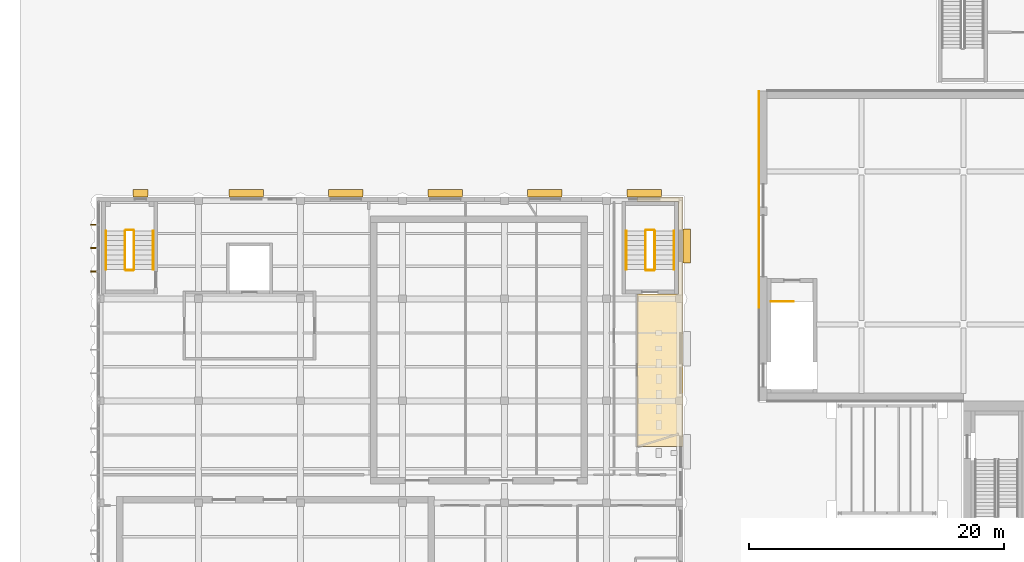
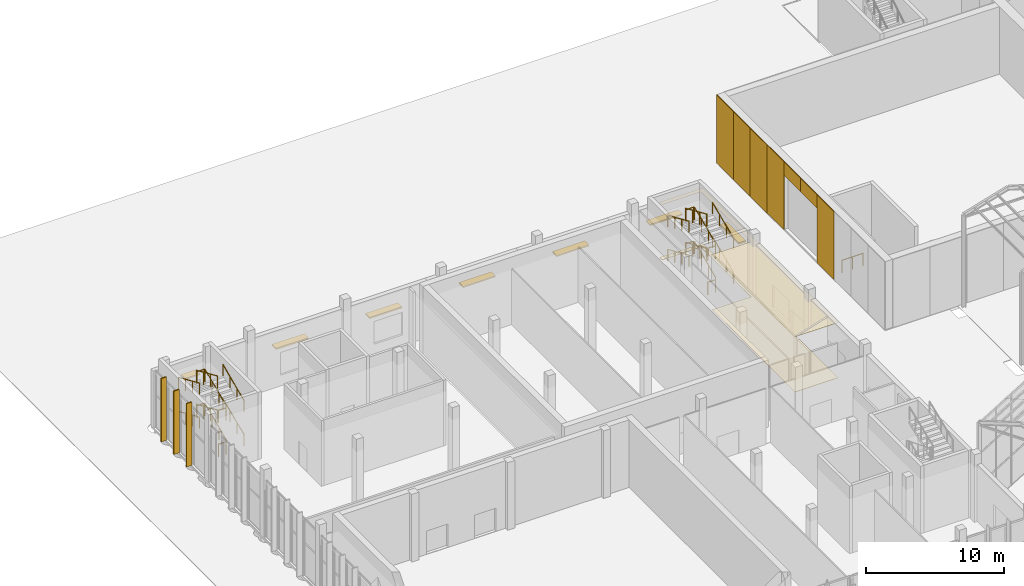
# One storey, part 130 of 155: 25 railings, 10 shading devices, 9 coverings.
"""IFC4 building model written with IfcOpenShell, lengths in metres."""

from ifc_helpers import new_model, si_unit, direction, frame, origin, origin_2d, place, context, subcontext, project, spatial, polyline, rectangle, circle, outline, extrude, material, layer, layer_set, type_object, element, save


model = new_model("IFC4")

# Units and contexts
model_context = context("Model", 3, precision=1e-05, world=origin(), true_north=direction((0.0, 1.0)))
body_context = subcontext(model_context, "Body", "Model", "MODEL_VIEW")
ifc_project = project(units=[si_unit("LENGTHUNIT", "METRE"), si_unit("AREAUNIT", "SQUARE_METRE"), si_unit("VOLUMEUNIT", "CUBIC_METRE"), si_unit("PLANEANGLEUNIT", "RADIAN"), si_unit("MASSUNIT", "GRAM", prefix="KILO")], contexts=[model_context])

# Site, building, storey
site_placement = place(None, origin())
site = spatial("IfcSite", under=ifc_project, at=site_placement, CompositionType="ELEMENT")
building_placement = place(site_placement, origin())
building = spatial("IfcBuilding", under=site, at=building_placement, Name="Lunette Opera House", CompositionType="ELEMENT")
storey_placement = place(building_placement, origin())
storey = spatial("IfcBuildingStorey", under=building, at=storey_placement, Name="L00", CompositionType="ELEMENT", Elevation=0.0)

# Shading devices
ifc_material_1 = material(Name="Powder-coated aluminium", Category="aluminium")
shading_device_type_1 = type_object("IfcShadingDeviceType", Name="SOLAR FIN 100 X 450", PredefinedType="USERDEFINED", material=ifc_material_1)
for number, where, z_axis, x_axis, name in (
    (1, (7.76708984375, 109.80908203125, 0.114501953125), (0.0, 0.0, 1.0), (-1.0, 0.0, 0.0), "Solar fin RW-X2001 1"),
    (2, (7.76708984375, 107.98291015625, 0.114501953125), (0.0, 0.0, 1.0), (-1.0, 0.0, 0.0), "Solar fin RW-X2001 2"),
    (3, (7.76708984375, 106.156005859375, 0.114501953125), (0.0, 0.0, 1.0), (-1.0, 0.0, 0.0), "Solar fin RW-X2001 3"),
):
    element("IfcShadingDevice", number, at=place(storey_placement, frame(where, z_axis=z_axis, x_axis=x_axis)), inside=storey, type_object=shading_device_type_1, Name=name, ObjectType="SOLAR FIN", PredefinedType="USERDEFINED", context=body_context, shape_type="SweptSolid", body=[
        extrude(rectangle(XDim=0.449951171875, YDim=0.10009765625, at=origin_2d()), origin(), (0.0, 0.0, 1.0), 5.5849609375),
    ])

# Railings
ifc_material_2 = material(Name="Steel S355", Category="steel")
railing_type_1 = type_object("IfcRailingType", Name="STAIR GUARD 1100", PredefinedType="GUARDRAIL", material=ifc_material_2)
railing_1_placement = place(storey_placement, frame((60.89990234375, 103.800048828125, 0.0)))
element("IfcRailing", 4, at=railing_1_placement, inside=storey, type_object=railing_type_1, Name="L00 ST13 top well guard 1", PredefinedType="GUARDRAIL", context=body_context, shape_type="SweptSolid", body=[
    extrude(circle(Radius=0.02392578125, at=origin_2d()), frame((0.0, 0.0, 1.076171875), z_axis=(1.0, 0.0, 0.0), x_axis=(0.0, 1.0, 0.0)), (0.0, 0.0, 1.0), 1.75),
    extrude(circle(Radius=0.02099609375, at=origin_2d()), origin(), (0.0, 0.0, 1.0), 1.052001953125),
    extrude(circle(Radius=0.02099609375, at=origin_2d()), frame((0.875, 0.0, 0.0)), (0.0, 0.0, 1.0), 1.052001953125),
    extrude(circle(Radius=0.02099609375, at=origin_2d()), frame((1.75, 0.0, 0.0)), (0.0, 0.0, 1.0), 1.052001953125),
])
railing_2_placement = place(storey_placement, frame((10.949951171875, 106.300048828125, 0.166748046875)))
element("IfcRailing", 5, at=railing_2_placement, inside=storey, type_object=railing_type_1, Name="L00 ST15 stair guard 1", PredefinedType="GUARDRAIL", context=body_context, shape_type="SweptSolid", body=[
    extrude(circle(Radius=0.02392578125, at=origin_2d()), frame((0.0, 0.0, 1.076171875), z_axis=(0.0, 0.915799124602, 0.401636606124), x_axis=(-1.0, 0.0, 0.0)), (0.0, 0.0, 1.0), 3.319580078125),
    extrude(circle(Radius=0.02099609375, at=origin_2d()), origin(), (0.0, 0.0, 1.0), 1.052001953125),
    extrude(circle(Radius=0.02099609375, at=origin_2d()), frame((0.0, 1.013427734375, 0.4443359375)), (0.0, 0.0, 1.0), 1.052001953125),
    extrude(circle(Radius=0.02099609375, at=origin_2d()), frame((0.0, 2.026611328125, 0.888916015625)), (0.0, 0.0, 1.0), 1.052001953125),
    extrude(circle(Radius=0.02099609375, at=origin_2d()), frame((0.0, 3.0400390625, 1.333251953125)), (0.0, 0.0, 1.0), 1.052001953125),
])
railing_3_placement = place(storey_placement, frame((10.89990234375, 109.389892578125, 1.5)))
element("IfcRailing", 6, at=railing_3_placement, inside=storey, type_object=railing_type_1, Name="L00 ST15 stair guard 2", PredefinedType="GUARDRAIL", context=body_context, shape_type="SweptSolid", body=[
    extrude(circle(Radius=0.02392578125, at=origin_2d()), frame((0.0, 0.0, 1.076171875), z_axis=(-1.0, 0.0, 0.0), x_axis=(0.0, -1.0, 0.0)), (0.0, 0.0, 1.0), 0.599853515625),
    extrude(circle(Radius=0.02099609375, at=origin_2d()), origin(), (0.0, 0.0, 1.0), 1.052001953125),
    extrude(circle(Radius=0.02099609375, at=origin_2d()), frame((-0.599853515625, 0.0, 0.0)), (0.0, 0.0, 1.0), 1.052001953125),
])
railing_4_placement = place(storey_placement, frame((10.25, 109.340087890625, 1.666748046875)))
element("IfcRailing", 7, at=railing_4_placement, inside=storey, type_object=railing_type_1, Name="L00 ST15 stair guard 3", PredefinedType="GUARDRAIL", context=body_context, shape_type="SweptSolid", body=[
    extrude(circle(Radius=0.02392578125, at=origin_2d()), frame((0.0, 0.0, 1.076171875), z_axis=(0.0, -0.915799124602, 0.401636606124), x_axis=(1.0, 0.0, 0.0)), (0.0, 0.0, 1.0), 3.319580078125),
    extrude(circle(Radius=0.02099609375, at=origin_2d()), origin(), (0.0, 0.0, 1.0), 1.052001953125),
    extrude(circle(Radius=0.02099609375, at=origin_2d()), frame((0.0, -1.013427734375, 0.4443359375)), (0.0, 0.0, 1.0), 1.052001953125),
    extrude(circle(Radius=0.02099609375, at=origin_2d()), frame((0.0, -2.026611328125, 0.888916015625)), (0.0, 0.0, 1.0), 1.052001953125),
    extrude(circle(Radius=0.02099609375, at=origin_2d()), frame((0.0, -3.0400390625, 1.333251953125)), (0.0, 0.0, 1.0), 1.052001953125),
])
railing_5_placement = place(storey_placement, frame((10.89990234375, 106.25, 3.0)))
element("IfcRailing", 8, at=railing_5_placement, inside=storey, type_object=railing_type_1, Name="L00 ST15 stair guard 4", PredefinedType="GUARDRAIL", context=body_context, shape_type="SweptSolid", body=[
    extrude(circle(Radius=0.02392578125, at=origin_2d()), frame((0.0, 0.0, 1.076171875), z_axis=(-1.0, 0.0, 0.0), x_axis=(0.0, -1.0, 0.0)), (0.0, 0.0, 1.0), 0.599853515625),
    extrude(circle(Radius=0.02099609375, at=origin_2d()), origin(), (0.0, 0.0, 1.0), 1.052001953125),
    extrude(circle(Radius=0.02099609375, at=origin_2d()), frame((-0.599853515625, 0.0, 0.0)), (0.0, 0.0, 1.0), 1.052001953125),
])
railing_6_placement = place(storey_placement, frame((10.949951171875, 106.300048828125, 3.166748046875)))
element("IfcRailing", 9, at=railing_6_placement, inside=storey, type_object=railing_type_1, Name="L00 ST15 stair guard 5", PredefinedType="GUARDRAIL", context=body_context, shape_type="SweptSolid", body=[
    extrude(circle(Radius=0.02392578125, at=origin_2d()), frame((0.0, 0.0, 1.076171875), z_axis=(0.0, 0.915799124602, 0.401636606124), x_axis=(-1.0, 0.0, 0.0)), (0.0, 0.0, 1.0), 3.319580078125),
    extrude(circle(Radius=0.02099609375, at=origin_2d()), origin(), (0.0, 0.0, 1.0), 1.052001953125),
    extrude(circle(Radius=0.02099609375, at=origin_2d()), frame((0.0, 1.013427734375, 0.4443359375)), (0.0, 0.0, 1.0), 1.052001953125),
    extrude(circle(Radius=0.02099609375, at=origin_2d()), frame((0.0, 2.026611328125, 0.888916015625)), (0.0, 0.0, 1.0), 1.052001953125),
    extrude(circle(Radius=0.02099609375, at=origin_2d()), frame((0.0, 3.0400390625, 1.333251953125)), (0.0, 0.0, 1.0), 1.052001953125),
])
railing_7_placement = place(storey_placement, frame((10.89990234375, 109.389892578125, 4.5)))
element("IfcRailing", 10, at=railing_7_placement, inside=storey, type_object=railing_type_1, Name="L00 ST15 stair guard 6", PredefinedType="GUARDRAIL", context=body_context, shape_type="SweptSolid", body=[
    extrude(circle(Radius=0.02392578125, at=origin_2d()), frame((0.0, 0.0, 1.076171875), z_axis=(-1.0, 0.0, 0.0), x_axis=(0.0, -1.0, 0.0)), (0.0, 0.0, 1.0), 0.599853515625),
    extrude(circle(Radius=0.02099609375, at=origin_2d()), origin(), (0.0, 0.0, 1.0), 1.052001953125),
    extrude(circle(Radius=0.02099609375, at=origin_2d()), frame((-0.599853515625, 0.0, 0.0)), (0.0, 0.0, 1.0), 1.052001953125),
])
railing_8_placement = place(storey_placement, frame((10.25, 109.340087890625, 4.666748046875)))
element("IfcRailing", 11, at=railing_8_placement, inside=storey, type_object=railing_type_1, Name="L00 ST15 stair guard 7", PredefinedType="GUARDRAIL", context=body_context, shape_type="SweptSolid", body=[
    extrude(circle(Radius=0.02392578125, at=origin_2d()), frame((0.0, 0.0, 1.076171875), z_axis=(0.0, -0.915799124602, 0.401636606124), x_axis=(1.0, 0.0, 0.0)), (0.0, 0.0, 1.0), 3.319580078125),
    extrude(circle(Radius=0.02099609375, at=origin_2d()), origin(), (0.0, 0.0, 1.0), 1.052001953125),
    extrude(circle(Radius=0.02099609375, at=origin_2d()), frame((0.0, -1.013427734375, 0.4443359375)), (0.0, 0.0, 1.0), 1.052001953125),
    extrude(circle(Radius=0.02099609375, at=origin_2d()), frame((0.0, -2.026611328125, 0.888916015625)), (0.0, 0.0, 1.0), 1.052001953125),
    extrude(circle(Radius=0.02099609375, at=origin_2d()), frame((0.0, -3.0400390625, 1.333251953125)), (0.0, 0.0, 1.0), 1.052001953125),
])
railing_9_placement = place(storey_placement, frame((10.89990234375, 106.25, 0.0)))
element("IfcRailing", 12, at=railing_9_placement, inside=storey, type_object=railing_type_1, Name="L00 ST15 stair guard 8", PredefinedType="GUARDRAIL", context=body_context, shape_type="SweptSolid", body=[
    extrude(circle(Radius=0.02392578125, at=origin_2d()), frame((0.0, 0.0, 1.076171875), z_axis=(-1.0, 0.0, 0.0), x_axis=(0.0, -1.0, 0.0)), (0.0, 0.0, 1.0), 0.599853515625),
    extrude(circle(Radius=0.02099609375, at=origin_2d()), origin(), (0.0, 0.0, 1.0), 1.052001953125),
    extrude(circle(Radius=0.02099609375, at=origin_2d()), frame((-0.599853515625, 0.0, 0.0)), (0.0, 0.0, 1.0), 1.052001953125),
])
railing_10_placement = place(storey_placement, frame((51.784912109375, 106.300048828125, 0.166748046875)))
element("IfcRailing", 13, at=railing_10_placement, inside=storey, type_object=railing_type_1, Name="L00 ST17 stair guard 1", PredefinedType="GUARDRAIL", context=body_context, shape_type="SweptSolid", body=[
    extrude(circle(Radius=0.02392578125, at=origin_2d()), frame((0.0, 0.0, 1.076171875), z_axis=(0.0, 0.915799124602, 0.401636606124), x_axis=(-1.0, 0.0, 0.0)), (0.0, 0.0, 1.0), 3.319580078125),
    extrude(circle(Radius=0.02099609375, at=origin_2d()), origin(), (0.0, 0.0, 1.0), 1.052001953125),
    extrude(circle(Radius=0.02099609375, at=origin_2d()), frame((0.0, 1.013427734375, 0.4443359375)), (0.0, 0.0, 1.0), 1.052001953125),
    extrude(circle(Radius=0.02099609375, at=origin_2d()), frame((0.0, 2.026611328125, 0.888916015625)), (0.0, 0.0, 1.0), 1.052001953125),
    extrude(circle(Radius=0.02099609375, at=origin_2d()), frame((0.0, 3.0400390625, 1.333251953125)), (0.0, 0.0, 1.0), 1.052001953125),
])
railing_11_placement = place(storey_placement, frame((51.735107421875, 109.389892578125, 1.5)))
element("IfcRailing", 14, at=railing_11_placement, inside=storey, type_object=railing_type_1, Name="L00 ST17 stair guard 2", PredefinedType="GUARDRAIL", context=body_context, shape_type="SweptSolid", body=[
    extrude(circle(Radius=0.02392578125, at=origin_2d()), frame((0.0, 0.0, 1.076171875), z_axis=(-1.0, 0.0, 0.0), x_axis=(0.0, -1.0, 0.0)), (0.0, 0.0, 1.0), 0.635009765625),
    extrude(circle(Radius=0.02099609375, at=origin_2d()), origin(), (0.0, 0.0, 1.0), 1.052001953125),
    extrude(circle(Radius=0.02099609375, at=origin_2d()), frame((-0.635009765625, 0.0, 0.0)), (0.0, 0.0, 1.0), 1.052001953125),
])
railing_12_placement = place(storey_placement, frame((51.050048828125, 109.340087890625, 1.666748046875)))
element("IfcRailing", 15, at=railing_12_placement, inside=storey, type_object=railing_type_1, Name="L00 ST17 stair guard 3", PredefinedType="GUARDRAIL", context=body_context, shape_type="SweptSolid", body=[
    extrude(circle(Radius=0.02392578125, at=origin_2d()), frame((0.0, 0.0, 1.076171875), z_axis=(0.0, -0.915799124602, 0.401636606124), x_axis=(1.0, 0.0, 0.0)), (0.0, 0.0, 1.0), 3.319580078125),
    extrude(circle(Radius=0.02099609375, at=origin_2d()), origin(), (0.0, 0.0, 1.0), 1.052001953125),
    extrude(circle(Radius=0.02099609375, at=origin_2d()), frame((0.0, -1.013427734375, 0.4443359375)), (0.0, 0.0, 1.0), 1.052001953125),
    extrude(circle(Radius=0.02099609375, at=origin_2d()), frame((0.0, -2.026611328125, 0.888916015625)), (0.0, 0.0, 1.0), 1.052001953125),
    extrude(circle(Radius=0.02099609375, at=origin_2d()), frame((0.0, -3.0400390625, 1.333251953125)), (0.0, 0.0, 1.0), 1.052001953125),
])
railing_13_placement = place(storey_placement, frame((51.735107421875, 106.25, 3.0)))
element("IfcRailing", 16, at=railing_13_placement, inside=storey, type_object=railing_type_1, Name="L00 ST17 stair guard 4", PredefinedType="GUARDRAIL", context=body_context, shape_type="SweptSolid", body=[
    extrude(circle(Radius=0.02392578125, at=origin_2d()), frame((0.0, 0.0, 1.076171875), z_axis=(-1.0, 0.0, 0.0), x_axis=(0.0, -1.0, 0.0)), (0.0, 0.0, 1.0), 0.635009765625),
    extrude(circle(Radius=0.02099609375, at=origin_2d()), origin(), (0.0, 0.0, 1.0), 1.052001953125),
    extrude(circle(Radius=0.02099609375, at=origin_2d()), frame((-0.635009765625, 0.0, 0.0)), (0.0, 0.0, 1.0), 1.052001953125),
])
railing_14_placement = place(storey_placement, frame((51.784912109375, 106.300048828125, 3.166748046875)))
element("IfcRailing", 17, at=railing_14_placement, inside=storey, type_object=railing_type_1, Name="L00 ST17 stair guard 5", PredefinedType="GUARDRAIL", context=body_context, shape_type="SweptSolid", body=[
    extrude(circle(Radius=0.02392578125, at=origin_2d()), frame((0.0, 0.0, 1.076171875), z_axis=(0.0, 0.915799124602, 0.401636606124), x_axis=(-1.0, 0.0, 0.0)), (0.0, 0.0, 1.0), 3.319580078125),
    extrude(circle(Radius=0.02099609375, at=origin_2d()), origin(), (0.0, 0.0, 1.0), 1.052001953125),
    extrude(circle(Radius=0.02099609375, at=origin_2d()), frame((0.0, 1.013427734375, 0.4443359375)), (0.0, 0.0, 1.0), 1.052001953125),
    extrude(circle(Radius=0.02099609375, at=origin_2d()), frame((0.0, 2.026611328125, 0.888916015625)), (0.0, 0.0, 1.0), 1.052001953125),
    extrude(circle(Radius=0.02099609375, at=origin_2d()), frame((0.0, 3.0400390625, 1.333251953125)), (0.0, 0.0, 1.0), 1.052001953125),
])
railing_15_placement = place(storey_placement, frame((51.735107421875, 109.389892578125, 4.5)))
element("IfcRailing", 18, at=railing_15_placement, inside=storey, type_object=railing_type_1, Name="L00 ST17 stair guard 6", PredefinedType="GUARDRAIL", context=body_context, shape_type="SweptSolid", body=[
    extrude(circle(Radius=0.02392578125, at=origin_2d()), frame((0.0, 0.0, 1.076171875), z_axis=(-1.0, 0.0, 0.0), x_axis=(0.0, -1.0, 0.0)), (0.0, 0.0, 1.0), 0.635009765625),
    extrude(circle(Radius=0.02099609375, at=origin_2d()), origin(), (0.0, 0.0, 1.0), 1.052001953125),
    extrude(circle(Radius=0.02099609375, at=origin_2d()), frame((-0.635009765625, 0.0, 0.0)), (0.0, 0.0, 1.0), 1.052001953125),
])
railing_16_placement = place(storey_placement, frame((51.050048828125, 109.340087890625, 4.666748046875)))
element("IfcRailing", 19, at=railing_16_placement, inside=storey, type_object=railing_type_1, Name="L00 ST17 stair guard 7", PredefinedType="GUARDRAIL", context=body_context, shape_type="SweptSolid", body=[
    extrude(circle(Radius=0.02392578125, at=origin_2d()), frame((0.0, 0.0, 1.076171875), z_axis=(0.0, -0.915799124602, 0.401636606124), x_axis=(1.0, 0.0, 0.0)), (0.0, 0.0, 1.0), 3.319580078125),
    extrude(circle(Radius=0.02099609375, at=origin_2d()), origin(), (0.0, 0.0, 1.0), 1.052001953125),
    extrude(circle(Radius=0.02099609375, at=origin_2d()), frame((0.0, -1.013427734375, 0.4443359375)), (0.0, 0.0, 1.0), 1.052001953125),
    extrude(circle(Radius=0.02099609375, at=origin_2d()), frame((0.0, -2.026611328125, 0.888916015625)), (0.0, 0.0, 1.0), 1.052001953125),
    extrude(circle(Radius=0.02099609375, at=origin_2d()), frame((0.0, -3.0400390625, 1.333251953125)), (0.0, 0.0, 1.0), 1.052001953125),
])
railing_17_placement = place(storey_placement, frame((51.735107421875, 106.25, 0.0)))
element("IfcRailing", 20, at=railing_17_placement, inside=storey, type_object=railing_type_1, Name="L00 ST17 stair guard 8", PredefinedType="GUARDRAIL", context=body_context, shape_type="SweptSolid", body=[
    extrude(circle(Radius=0.02392578125, at=origin_2d()), frame((0.0, 0.0, 1.076171875), z_axis=(-1.0, 0.0, 0.0), x_axis=(0.0, -1.0, 0.0)), (0.0, 0.0, 1.0), 0.635009765625),
    extrude(circle(Radius=0.02099609375, at=origin_2d()), origin(), (0.0, 0.0, 1.0), 1.052001953125),
    extrude(circle(Radius=0.02099609375, at=origin_2d()), frame((-0.635009765625, 0.0, 0.0)), (0.0, 0.0, 1.0), 1.052001953125),
])
ifc_material_3 = material(Name="Steel S355", Category="steel")
railing_type_2 = type_object("IfcRailingType", Name="STAIR HANDRAIL 1000", PredefinedType="HANDRAIL", material=ifc_material_3)
railing_18_placement = place(storey_placement, frame((12.449951171875, 106.300048828125, 0.166748046875)))
element("IfcRailing", 21, at=railing_18_placement, inside=storey, type_object=railing_type_2, Name="L00 ST15 stair handrail 1", PredefinedType="HANDRAIL", context=body_context, shape_type="SweptSolid", body=[
    extrude(circle(Radius=0.02392578125, at=origin_2d()), frame((0.0, 0.0, 0.97607421875), z_axis=(0.0, 0.915799124602, 0.401636606124), x_axis=(-1.0, 0.0, 0.0)), (0.0, 0.0, 1.0), 3.319580078125),
    extrude(circle(Radius=0.02099609375, at=origin_2d()), origin(), (0.0, 0.0, 1.0), 0.951904296875),
    extrude(circle(Radius=0.02099609375, at=origin_2d()), frame((0.0, 1.013427734375, 0.4443359375)), (0.0, 0.0, 1.0), 0.951904296875),
    extrude(circle(Radius=0.02099609375, at=origin_2d()), frame((0.0, 2.026611328125, 0.888916015625)), (0.0, 0.0, 1.0), 0.951904296875),
    extrude(circle(Radius=0.02099609375, at=origin_2d()), frame((0.0, 3.0400390625, 1.333251953125)), (0.0, 0.0, 1.0), 0.951904296875),
])
railing_19_placement = place(storey_placement, frame((8.75, 109.340087890625, 1.666748046875)))
element("IfcRailing", 22, at=railing_19_placement, inside=storey, type_object=railing_type_2, Name="L00 ST15 stair handrail 2", PredefinedType="HANDRAIL", context=body_context, shape_type="SweptSolid", body=[
    extrude(circle(Radius=0.02392578125, at=origin_2d()), frame((0.0, 0.0, 0.97607421875), z_axis=(0.0, -0.915799124602, 0.401636606124), x_axis=(1.0, 0.0, 0.0)), (0.0, 0.0, 1.0), 3.319580078125),
    extrude(circle(Radius=0.02099609375, at=origin_2d()), origin(), (0.0, 0.0, 1.0), 0.951904296875),
    extrude(circle(Radius=0.02099609375, at=origin_2d()), frame((0.0, -1.013427734375, 0.4443359375)), (0.0, 0.0, 1.0), 0.951904296875),
    extrude(circle(Radius=0.02099609375, at=origin_2d()), frame((0.0, -2.026611328125, 0.888916015625)), (0.0, 0.0, 1.0), 0.951904296875),
    extrude(circle(Radius=0.02099609375, at=origin_2d()), frame((0.0, -3.0400390625, 1.333251953125)), (0.0, 0.0, 1.0), 0.951904296875),
])
railing_20_placement = place(storey_placement, frame((12.449951171875, 106.300048828125, 3.166748046875)))
element("IfcRailing", 23, at=railing_20_placement, inside=storey, type_object=railing_type_2, Name="L00 ST15 stair handrail 3", PredefinedType="HANDRAIL", context=body_context, shape_type="SweptSolid", body=[
    extrude(circle(Radius=0.02392578125, at=origin_2d()), frame((0.0, 0.0, 0.97607421875), z_axis=(0.0, 0.915799124602, 0.401636606124), x_axis=(-1.0, 0.0, 0.0)), (0.0, 0.0, 1.0), 3.319580078125),
    extrude(circle(Radius=0.02099609375, at=origin_2d()), origin(), (0.0, 0.0, 1.0), 0.951904296875),
    extrude(circle(Radius=0.02099609375, at=origin_2d()), frame((0.0, 1.013427734375, 0.4443359375)), (0.0, 0.0, 1.0), 0.951904296875),
    extrude(circle(Radius=0.02099609375, at=origin_2d()), frame((0.0, 2.026611328125, 0.888916015625)), (0.0, 0.0, 1.0), 0.951904296875),
    extrude(circle(Radius=0.02099609375, at=origin_2d()), frame((0.0, 3.0400390625, 1.333251953125)), (0.0, 0.0, 1.0), 0.951904296875),
])
railing_21_placement = place(storey_placement, frame((8.75, 109.340087890625, 4.666748046875)))
element("IfcRailing", 24, at=railing_21_placement, inside=storey, type_object=railing_type_2, Name="L00 ST15 stair handrail 4", PredefinedType="HANDRAIL", context=body_context, shape_type="SweptSolid", body=[
    extrude(circle(Radius=0.02392578125, at=origin_2d()), frame((0.0, 0.0, 0.97607421875), z_axis=(0.0, -0.915799124602, 0.401636606124), x_axis=(1.0, 0.0, 0.0)), (0.0, 0.0, 1.0), 3.319580078125),
    extrude(circle(Radius=0.02099609375, at=origin_2d()), origin(), (0.0, 0.0, 1.0), 0.951904296875),
    extrude(circle(Radius=0.02099609375, at=origin_2d()), frame((0.0, -1.013427734375, 0.4443359375)), (0.0, 0.0, 1.0), 0.951904296875),
    extrude(circle(Radius=0.02099609375, at=origin_2d()), frame((0.0, -2.026611328125, 0.888916015625)), (0.0, 0.0, 1.0), 0.951904296875),
    extrude(circle(Radius=0.02099609375, at=origin_2d()), frame((0.0, -3.0400390625, 1.333251953125)), (0.0, 0.0, 1.0), 0.951904296875),
])
railing_22_placement = place(storey_placement, frame((53.284912109375, 106.300048828125, 0.166748046875)))
element("IfcRailing", 25, at=railing_22_placement, inside=storey, type_object=railing_type_2, Name="L00 ST17 stair handrail 1", PredefinedType="HANDRAIL", context=body_context, shape_type="SweptSolid", body=[
    extrude(circle(Radius=0.02392578125, at=origin_2d()), frame((0.0, 0.0, 0.97607421875), z_axis=(0.0, 0.915799124602, 0.401636606124), x_axis=(-1.0, 0.0, 0.0)), (0.0, 0.0, 1.0), 3.319580078125),
    extrude(circle(Radius=0.02099609375, at=origin_2d()), origin(), (0.0, 0.0, 1.0), 0.951904296875),
    extrude(circle(Radius=0.02099609375, at=origin_2d()), frame((0.0, 1.013427734375, 0.4443359375)), (0.0, 0.0, 1.0), 0.951904296875),
    extrude(circle(Radius=0.02099609375, at=origin_2d()), frame((0.0, 2.026611328125, 0.888916015625)), (0.0, 0.0, 1.0), 0.951904296875),
    extrude(circle(Radius=0.02099609375, at=origin_2d()), frame((0.0, 3.0400390625, 1.333251953125)), (0.0, 0.0, 1.0), 0.951904296875),
])
railing_23_placement = place(storey_placement, frame((49.550048828125, 109.340087890625, 1.666748046875)))
element("IfcRailing", 26, at=railing_23_placement, inside=storey, type_object=railing_type_2, Name="L00 ST17 stair handrail 2", PredefinedType="HANDRAIL", context=body_context, shape_type="SweptSolid", body=[
    extrude(circle(Radius=0.02392578125, at=origin_2d()), frame((0.0, 0.0, 0.97607421875), z_axis=(0.0, -0.915799124602, 0.401636606124), x_axis=(1.0, 0.0, 0.0)), (0.0, 0.0, 1.0), 3.319580078125),
    extrude(circle(Radius=0.02099609375, at=origin_2d()), origin(), (0.0, 0.0, 1.0), 0.951904296875),
    extrude(circle(Radius=0.02099609375, at=origin_2d()), frame((0.0, -1.013427734375, 0.4443359375)), (0.0, 0.0, 1.0), 0.951904296875),
    extrude(circle(Radius=0.02099609375, at=origin_2d()), frame((0.0, -2.026611328125, 0.888916015625)), (0.0, 0.0, 1.0), 0.951904296875),
    extrude(circle(Radius=0.02099609375, at=origin_2d()), frame((0.0, -3.0400390625, 1.333251953125)), (0.0, 0.0, 1.0), 0.951904296875),
])
railing_24_placement = place(storey_placement, frame((53.284912109375, 106.300048828125, 3.166748046875)))
element("IfcRailing", 27, at=railing_24_placement, inside=storey, type_object=railing_type_2, Name="L00 ST17 stair handrail 3", PredefinedType="HANDRAIL", context=body_context, shape_type="SweptSolid", body=[
    extrude(circle(Radius=0.02392578125, at=origin_2d()), frame((0.0, 0.0, 0.97607421875), z_axis=(0.0, 0.915799124602, 0.401636606124), x_axis=(-1.0, 0.0, 0.0)), (0.0, 0.0, 1.0), 3.319580078125),
    extrude(circle(Radius=0.02099609375, at=origin_2d()), origin(), (0.0, 0.0, 1.0), 0.951904296875),
    extrude(circle(Radius=0.02099609375, at=origin_2d()), frame((0.0, 1.013427734375, 0.4443359375)), (0.0, 0.0, 1.0), 0.951904296875),
    extrude(circle(Radius=0.02099609375, at=origin_2d()), frame((0.0, 2.026611328125, 0.888916015625)), (0.0, 0.0, 1.0), 0.951904296875),
    extrude(circle(Radius=0.02099609375, at=origin_2d()), frame((0.0, 3.0400390625, 1.333251953125)), (0.0, 0.0, 1.0), 0.951904296875),
])
railing_25_placement = place(storey_placement, frame((49.550048828125, 109.340087890625, 4.666748046875)))
element("IfcRailing", 28, at=railing_25_placement, inside=storey, type_object=railing_type_2, Name="L00 ST17 stair handrail 4", PredefinedType="HANDRAIL", context=body_context, shape_type="SweptSolid", body=[
    extrude(circle(Radius=0.02392578125, at=origin_2d()), frame((0.0, 0.0, 0.97607421875), z_axis=(0.0, -0.915799124602, 0.401636606124), x_axis=(1.0, 0.0, 0.0)), (0.0, 0.0, 1.0), 3.319580078125),
    extrude(circle(Radius=0.02099609375, at=origin_2d()), origin(), (0.0, 0.0, 1.0), 0.951904296875),
    extrude(circle(Radius=0.02099609375, at=origin_2d()), frame((0.0, -1.013427734375, 0.4443359375)), (0.0, 0.0, 1.0), 0.951904296875),
    extrude(circle(Radius=0.02099609375, at=origin_2d()), frame((0.0, -2.026611328125, 0.888916015625)), (0.0, 0.0, 1.0), 0.951904296875),
    extrude(circle(Radius=0.02099609375, at=origin_2d()), frame((0.0, -3.0400390625, 1.333251953125)), (0.0, 0.0, 1.0), 0.951904296875),
])

# Coverings
ifc_material_4 = material(Name="Aluminium standing seam cladding", Category="aluminium")
ifc_layer_1 = layer(ifc_material_4, 0.06005859375)
ifc_layer_set_1 = layer_set([ifc_layer_1], Name="Aluminium standing seam cladding")
covering_type_1 = type_object("IfcCoveringType", Name="STANDING SEAM CLADDING 60", PredefinedType="CLADDING", material=ifc_layer_set_1)
covering_1_placement = place(storey_placement, frame((59.969970703125, 104.531005859375, 0.0), z_axis=(0.0, 0.0, 1.0), x_axis=(0.0, 1.0, 0.0)))
element("IfcCovering", 29, at=covering_1_placement, inside=storey, type_object=covering_type_1, Name="Standing seam cladding SW-W-1 L00 03", PredefinedType="CLADDING", context=body_context, shape_type="SweptSolid", body=[
    extrude(rectangle(XDim=2.43798828125, YDim=0.06005859375, at=origin_2d()), origin(), (0.0, 0.0, 1.0), 6.0),
])
for number, where, z_axis, x_axis, name in (
    (30, (59.969970703125, 106.949951171875, 4.7998046875), (0.0, 0.0, 1.0), (0.0, 1.0, 0.0), "Standing seam cladding SW-W-1 L00 10"),
    (31, (59.969970703125, 109.35009765625, 4.7998046875), (0.0, 0.0, 1.0), (0.0, 1.0, 0.0), "Standing seam cladding SW-W-1 L00 11"),
):
    element("IfcCovering", number, at=place(storey_placement, frame(where, z_axis=z_axis, x_axis=x_axis)), inside=storey, type_object=covering_type_1, Name=name, PredefinedType="CLADDING", context=body_context, shape_type="SweptSolid", body=[
        extrude(rectangle(XDim=2.39990234375, YDim=0.06005859375, at=origin_2d()), origin(), (0.0, 0.0, 1.0), 1.199951171875),
    ])
covering_2_placement = place(storey_placement, frame((59.969970703125, 111.76904296875, 0.0), z_axis=(0.0, 0.0, 1.0), x_axis=(0.0, 1.0, 0.0)))
element("IfcCovering", 32, at=covering_2_placement, inside=storey, type_object=covering_type_1, Name="Standing seam cladding SW-W-1 L00 20", PredefinedType="CLADDING", context=body_context, shape_type="SweptSolid", body=[
    extrude(rectangle(XDim=2.43701171875, YDim=0.06005859375, at=origin_2d()), origin(), (0.0, 0.0, 1.0), 6.0),
])
for number, where, z_axis, x_axis, name in (
    (33, (59.969970703125, 114.2060546875, 0.0), (0.0, 0.0, 1.0), (0.0, 1.0, 0.0), "Standing seam cladding SW-W-1 L00 21"),
    (34, (59.969970703125, 116.64404296875, 0.0), (0.0, 0.0, 1.0), (0.0, 1.0, 0.0), "Standing seam cladding SW-W-1 L00 22"),
    (35, (59.969970703125, 119.0810546875, 0.0), (0.0, 0.0, 1.0), (0.0, 1.0, 0.0), "Standing seam cladding SW-W-1 L00 23"),
):
    element("IfcCovering", number, at=place(storey_placement, frame(where, z_axis=z_axis, x_axis=x_axis)), inside=storey, type_object=covering_type_1, Name=name, PredefinedType="CLADDING", context=body_context, shape_type="SweptSolid", body=[
        extrude(rectangle(XDim=2.43798828125, YDim=0.06005859375, at=origin_2d()), origin(), (0.0, 0.0, 1.0), 6.0),
    ])
ifc_material_5 = material(Name="Mineral fibre board")
ifc_layer_2 = layer(ifc_material_5, 0.014892578125)
ifc_layer_set_2 = layer_set([ifc_layer_2], Name="Mineral fibre board")
covering_type_2 = type_object("IfcCoveringType", Name="SUSPENDED ACOUSTIC CEILING 15", PredefinedType="CEILING", material=ifc_layer_set_2)
covering_3_placement = place(storey_placement, frame((0.0, 0.0, 4.885009765625)))
element("IfcCovering", 36, at=covering_3_placement, inside=storey, type_object=covering_type_2, Name="Ceiling Rehearsal Wing WC", PredefinedType="CEILING", context=body_context, shape_type="SweptSolid", body=[
    extrude(outline(polyline([(50.39892578125, 104.39990234375), (53.635009765625, 104.39990234375), (53.635009765625, 111.635009765625), (50.39892578125, 111.635009765625), (50.39892578125, 112.0), (54.0, 112.0), (54.0, 92.422119140625), (50.39892578125, 92.422119140625), (50.39892578125, 104.39990234375)])), origin(), (0.0, 0.0, 1.0), 0.014892578125),
])
ifc_material_6 = material(Name="Ceramic tile")
ifc_layer_3 = layer(ifc_material_6, 0.02490234375)
ifc_layer_set_3 = layer_set([ifc_layer_3], Name="Ceramic tile")
covering_type_3 = type_object("IfcCoveringType", Name="TILED FLOOR FINISH 25", PredefinedType="FLOORING", material=ifc_layer_set_3)
covering_4_placement = place(storey_placement, origin())
element("IfcCovering", 37, at=covering_4_placement, inside=storey, type_object=covering_type_3, Name="Floor finish Rehearsal Wing WC", PredefinedType="FLOORING", context=body_context, shape_type="SweptSolid", body=[
    extrude(outline(polyline([(50.39892578125, 104.39990234375), (53.635009765625, 104.39990234375), (53.635009765625, 111.635009765625), (50.39892578125, 111.635009765625), (50.39892578125, 112.0), (54.0, 112.0), (54.0, 92.422119140625), (50.39892578125, 92.422119140625), (50.39892578125, 104.39990234375)])), origin(), (0.0, 0.0, 1.0), 0.02490234375),
])

# Shading devices
ifc_material_7 = material(Name="Powder-coated aluminium", Category="aluminium")
ifc_layer_4 = layer(ifc_material_7, 0.1201171875)
ifc_layer_set_4 = layer_set([ifc_layer_4], Name="Powder-coated aluminium")
shading_device_type_2 = type_object("IfcShadingDeviceType", Name="WINDOW HOOD 600 X 1200", PredefinedType="USERDEFINED", material=ifc_layer_set_4)
shading_device_placement = place(storey_placement, frame((11.450927734375, 112.299072265625, 3.079833984375), z_axis=(0.0, 0.0, 1.0), x_axis=(0.0, 1.0, 0.0)))
element("IfcShadingDevice", 38, at=shading_device_placement, inside=storey, type_object=shading_device_type_2, Name="Window hood RW-N2060", ObjectType="WINDOW HOOD", PredefinedType="USERDEFINED", context=body_context, shape_type="SweptSolid", body=[
    extrude(rectangle(XDim=0.60009765625, YDim=1.199951171875, at=origin_2d()), origin(), (0.0, 0.0, 1.0), 0.1201171875),
])
ifc_material_8 = material(Name="Powder-coated aluminium", Category="aluminium")
ifc_layer_5 = layer(ifc_material_8, 0.1201171875)
ifc_layer_set_5 = layer_set([ifc_layer_5], Name="Powder-coated aluminium")
shading_device_type_3 = type_object("IfcShadingDeviceType", Name="WINDOW HOOD 600 X 2700", PredefinedType="USERDEFINED", material=ifc_layer_set_5)
for number, where, z_axis, x_axis, name in (
    (39, (50.967041015625, 112.299072265625, 3.079833984375), (0.0, 0.0, 1.0), (0.0, 1.0, 0.0), "Window hood RW-N2001"),
    (40, (43.1640625, 112.299072265625, 3.079833984375), (0.0, 0.0, 1.0), (0.0, 1.0, 0.0), "Window hood RW-N2002"),
    (41, (35.361083984375, 112.299072265625, 3.079833984375), (0.0, 0.0, 1.0), (0.0, 1.0, 0.0), "Window hood RW-N2003"),
    (42, (27.55810546875, 112.299072265625, 3.079833984375), (0.0, 0.0, 1.0), (0.0, 1.0, 0.0), "Window hood RW-N2004"),
    (43, (19.756103515625, 112.299072265625, 3.079833984375), (0.0, 0.0, 1.0), (0.0, 1.0, 0.0), "Window hood RW-N2005"),
    (44, (54.300048828125, 108.14990234375, 3.079833984375), (0.0, 0.0, 1.0), (1.0, 0.0, 0.0), "Window hood RW-N2012"),
):
    element("IfcShadingDevice", number, at=place(storey_placement, frame(where, z_axis=z_axis, x_axis=x_axis)), inside=storey, type_object=shading_device_type_3, Name=name, ObjectType="WINDOW HOOD", PredefinedType="USERDEFINED", context=body_context, shape_type="SweptSolid", body=[
        extrude(rectangle(XDim=0.60009765625, YDim=2.699951171875, at=origin_2d()), origin(), (0.0, 0.0, 1.0), 0.1201171875),
    ])

save(model, "model.ifc")
